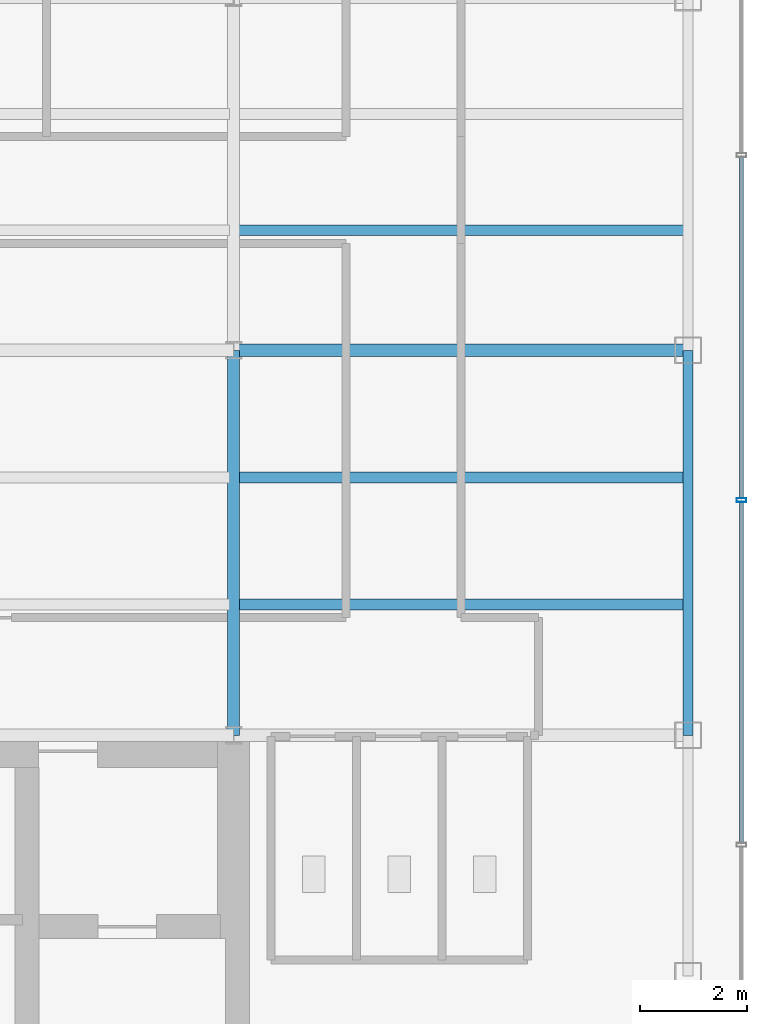
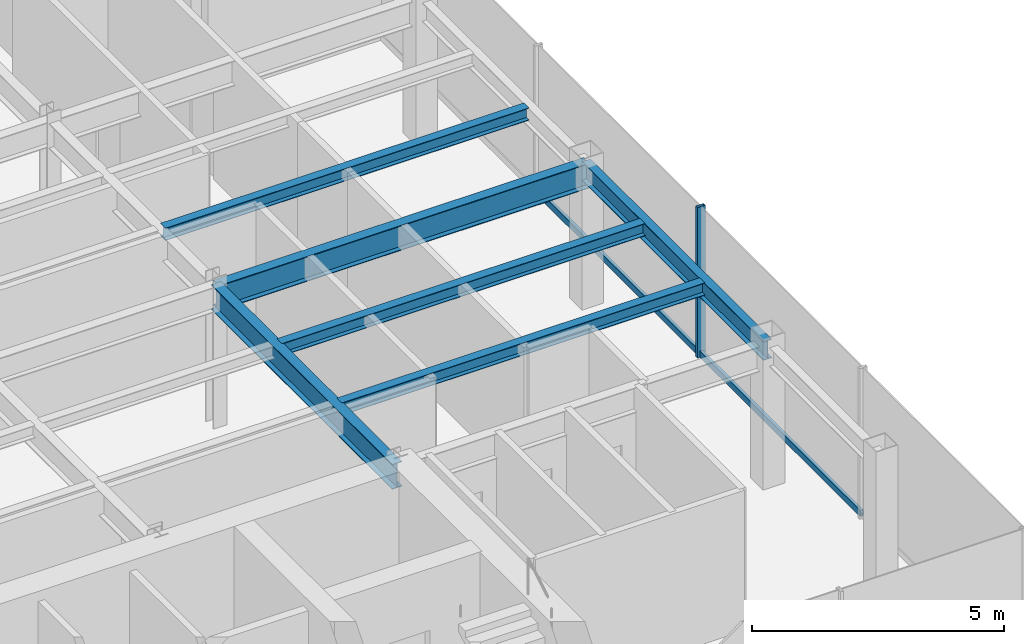
# One storey, part 10 of 22: 6 beams, 3 members, 1 element without a shape of its own.
"""IFC4 building model written with IfcOpenShell, lengths in metres."""

from ifc_helpers import new_model, si_unit, derived_unit, direction, frame, origin, origin_2d, place, context, subcontext, project, spatial, hollow_rectangle, i_section, extrude, source, transform, mapped, material, material_profile, profile_set, type_object, element, aggregate, save


model = new_model("IFC4")

# Units and contexts
model_context = context("Model", 3, precision=1e-05, world=origin(), true_north=direction((0.0, 1.0)))
body_context = subcontext(model_context, "Body", "Model", "MODEL_VIEW")
ifc_project = project(units=[si_unit("LENGTHUNIT", "METRE"), si_unit("AREAUNIT", "SQUARE_METRE"), si_unit("VOLUMEUNIT", "CUBIC_METRE"), si_unit("PLANEANGLEUNIT", "RADIAN"), si_unit("MASSUNIT", "GRAM", prefix="KILO"), derived_unit("THERMALTRANSMITTANCEUNIT", [(si_unit("POWERUNIT", "WATT"), 1), (si_unit("LENGTHUNIT", "METRE"), -2), (si_unit("THERMODYNAMICTEMPERATUREUNIT", "KELVIN"), -1)])], contexts=[model_context])

# Site, building, storey
site_placement = place(None, origin())
site = spatial("IfcSite", under=ifc_project, at=site_placement, CompositionType="ELEMENT")
building_placement = place(site_placement, origin())
building = spatial("IfcBuilding", under=site, at=building_placement, Name="Skarnbrae Concourse Arena and Tower", CompositionType="ELEMENT")
storey_placement = place(building_placement, frame((0.0, 0.0, 251.5)))
storey = spatial("IfcBuildingStorey", under=building, at=storey_placement, Name="L65", CompositionType="ELEMENT", Elevation=251.5)

# Beams
ifc_material_1 = material(Name="Steel CSA G40.21 350W", Category="steel")
ifc_material_profile_1 = material_profile(ifc_material_1, i_section(OverallWidth=0.22802734375, OverallDepth=0.60791015625, WebThickness=0.01123046875, FlangeThickness=0.017333984375, at=origin_2d()), Name="W610X113")
ifc_profile_set_1 = profile_set([ifc_material_profile_1], Name="Steel CSA G40.21 350W")
beam_type_1 = type_object("IfcBeamType", Name="BM-GIRD-W610X113", PredefinedType="BEAM", material=ifc_profile_set_1)
shared_shape_1 = source(origin(), body_context, "Body", "SweptSolid", [
    extrude(i_section(OverallWidth=0.22802734375, OverallDepth=0.60791015625, WebThickness=0.01123046875, FlangeThickness=0.017333984375, at=origin_2d()), origin(), (0.0, 0.0, 1.0), 8.5),
])
beam_1_placement = place(storey_placement, frame((33.5, 21.199951171875, 3.095947265625), z_axis=(1.0, 0.0, 0.0), x_axis=(0.0, 1.0, 0.0)))
element("IfcBeam", 1, at=beam_1_placement, inside=storey, type_object=beam_type_1, Name="L65 Primary E-W girder Y21.2-6", PredefinedType="BEAM", context=body_context, shape_type="MappedRepresentation", body=[
    mapped(shared_shape_1, transform((0.0, 0.0, 0.0))),
])
ifc_material_profile_2 = material_profile(ifc_material_1, i_section(OverallWidth=0.19091796875, OverallDepth=0.4599609375, WebThickness=0.010009765625, FlangeThickness=0.01611328125, at=origin_2d()), Name="W460X82")
ifc_profile_set_2 = profile_set([ifc_material_profile_2], Name="Steel CSA G40.21 350W")
beam_type_2 = type_object("IfcBeamType", Name="BM-SPAN-W460X82", PredefinedType="SPANDREL", material=ifc_profile_set_2)
shared_shape_2 = source(origin(), body_context, "Body", "SweptSolid", [
    extrude(i_section(OverallWidth=0.19091796875, OverallDepth=0.4599609375, WebThickness=0.010009765625, FlangeThickness=0.01611328125, at=origin_2d()), origin(), (0.0, 0.0, 1.0), 7.199951171875),
])
beam_2_placement = place(storey_placement, frame((42.0, 14.0, 3.169921875), z_axis=(0.0, 1.0, 0.0), x_axis=(-1.0, 0.0, 0.0)))
element("IfcBeam", 2, at=beam_2_placement, inside=storey, type_object=beam_type_2, Name="L65 Perimeter spandrel X42.0-2", PredefinedType="SPANDREL", context=body_context, shape_type="MappedRepresentation", body=[
    mapped(shared_shape_2, transform((0.0, 0.0, 0.0))),
])
shared_shape_3 = source(origin(), body_context, "Body", "SweptSolid", [
    extrude(i_section(OverallWidth=0.22802734375, OverallDepth=0.60791015625, WebThickness=0.01123046875, FlangeThickness=0.017333984375, at=origin_2d()), origin(), (0.0, 0.0, 1.0), 7.199951171875),
])
beam_3_placement = place(storey_placement, frame((33.5, 14.0, 3.095947265625), z_axis=(0.0, 1.0, 0.0), x_axis=(-1.0, 0.0, 0.0)))
element("IfcBeam", 3, at=beam_3_placement, inside=storey, type_object=beam_type_1, Name="L65 Primary N-S girder X33.5-1", PredefinedType="BEAM", context=body_context, shape_type="MappedRepresentation", body=[
    mapped(shared_shape_3, transform((0.0, 0.0, 0.0))),
])
ifc_material_profile_3 = material_profile(ifc_material_1, i_section(OverallWidth=0.202880859375, OverallDepth=0.302978515625, WebThickness=0.007568359375, FlangeThickness=0.01318359375, at=origin_2d()), Name="W310X60")
ifc_profile_set_3 = profile_set([ifc_material_profile_3], Name="Steel CSA G40.21 350W")
beam_type_3 = type_object("IfcBeamType", Name="BM-JOIST-W310X60", PredefinedType="JOIST", material=ifc_profile_set_3)
shared_shape_4 = source(origin(), body_context, "Body", "SweptSolid", [
    extrude(i_section(OverallWidth=0.202880859375, OverallDepth=0.302978515625, WebThickness=0.007568359375, FlangeThickness=0.01318359375, at=origin_2d()), origin(), (0.0, 0.0, 1.0), 8.33984375),
])
for number, where, z_axis, x_axis, name in (
    (4, (33.580078125, 16.447998046875, 3.24853515625), (1.0, 0.0, 0.0), (0.0, 1.0, 0.0), "L65 Secondary floor joist 1.1.6"),
    (5, (33.580078125, 18.823974609375, 3.24853515625), (1.0, 0.0, 0.0), (0.0, 1.0, 0.0), "L65 Secondary floor joist 1.2.6"),
    (6, (33.580078125, 23.444091796875, 3.24853515625), (1.0, 0.0, 0.0), (0.0, 1.0, 0.0), "L65 Secondary floor joist 2.1.6"),
):
    element("IfcBeam", number, at=place(storey_placement, frame(where, z_axis=z_axis, x_axis=x_axis)), inside=storey, type_object=beam_type_3, Name=name, PredefinedType="JOIST", context=body_context, shape_type="MappedRepresentation", body=[
        mapped(shared_shape_4, transform((0.0, 0.0, 0.0))),
    ])

# Curtain wall, members
ifc_material_2 = material(Name="Bronze anodised aluminium 6063-T6", Category="aluminium")
curtain_wall_type = type_object("IfcCurtainWallType", Name="CW-SYS-05-HIGHZONE", PredefinedType="USERDEFINED", material=ifc_material_2)
curtain_wall_placement = place(storey_placement, origin())
curtain_wall = element("IfcCurtainWall", 7, at=curtain_wall_placement, inside=storey, type_object=curtain_wall_type, Name="L65 Unitised curtain wall CW-L65-E04", ObjectType="UNITISED CURTAIN WALL", PredefinedType="USERDEFINED")
ifc_material_profile_4 = material_profile(ifc_material_2, hollow_rectangle(XDim=0.074951171875, YDim=0.179931640625, WallThickness=0.00390625, at=origin_2d()), Name="ALU-MULL-75X180")
ifc_profile_set_4 = profile_set([ifc_material_profile_4], Name="Bronze anodised aluminium 6063-T6")
member_type_1 = type_object("IfcMemberType", Name="CWM-CW-05", PredefinedType="MULLION", material=ifc_profile_set_4)
shared_shape_5 = source(origin(), body_context, "Body", "SweptSolid", [
    extrude(hollow_rectangle(XDim=0.074951171875, YDim=0.179931640625, WallThickness=0.00390625, at=origin_2d()), origin(), (0.0, 0.0, 1.0), 3.64990234375),
])
member_1_placement = place(storey_placement, frame((43.0, 18.39990234375, 0.0), z_axis=(0.0, 0.0, 1.0), x_axis=(0.0, 1.0, 0.0)))
member_1 = element("IfcMember", 8, at=member_1_placement, type_object=member_type_1, Name="CW-L65-E04 Mullion 3", PredefinedType="MULLION", context=body_context, shape_type="MappedRepresentation", body=[
    mapped(shared_shape_5, transform((0.0, 0.0, 0.0))),
])
ifc_material_profile_5 = material_profile(ifc_material_2, hollow_rectangle(XDim=0.074951171875, YDim=0.14990234375, WallThickness=0.00390625, at=origin_2d()), Name="ALU-TRAN-75X150")
ifc_profile_set_5 = profile_set([ifc_material_profile_5], Name="Bronze anodised aluminium 6063-T6")
member_type_2 = type_object("IfcMemberType", Name="CWT-CW-05", PredefinedType="USERDEFINED", material=ifc_profile_set_5)
shared_shape_6 = source(origin(), body_context, "Body", "SweptSolid", [
    extrude(hollow_rectangle(XDim=0.074951171875, YDim=0.14990234375, WallThickness=0.00390625, at=origin_2d()), origin(), (0.0, 0.0, 1.0), 6.375),
])
member_2_placement = place(storey_placement, frame((43.0, 11.987548828125, 0.074951171875), z_axis=(0.0, 1.0, 0.0), x_axis=(-1.0, 0.0, 0.0)))
member_2 = element("IfcMember", 9, at=member_2_placement, type_object=member_type_2, Name="CW-L65-E04 Transom 2", ObjectType="TRANSOM", PredefinedType="USERDEFINED", context=body_context, shape_type="MappedRepresentation", body=[
    mapped(shared_shape_6, transform((0.0, 0.0, 0.0))),
])
member_3_placement = place(storey_placement, frame((43.0, 18.4375, 0.074951171875), z_axis=(0.0, 1.0, 0.0), x_axis=(-1.0, 0.0, 0.0)))
member_3 = element("IfcMember", 10, at=member_3_placement, type_object=member_type_2, Name="CW-L65-E04 Transom 3", ObjectType="TRANSOM", PredefinedType="USERDEFINED", context=body_context, shape_type="MappedRepresentation", body=[
    mapped(shared_shape_6, transform((0.0, 0.0, 0.0))),
])
aggregate(curtain_wall, [member_1, member_2, member_3])

save(model, "model.ifc")
